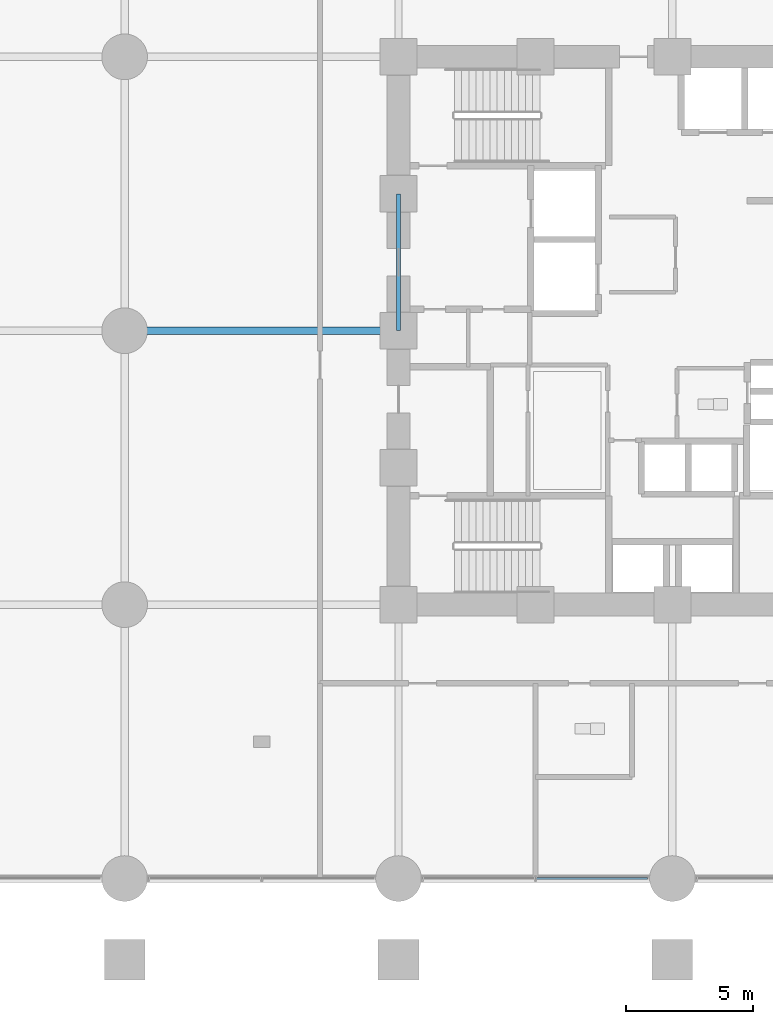
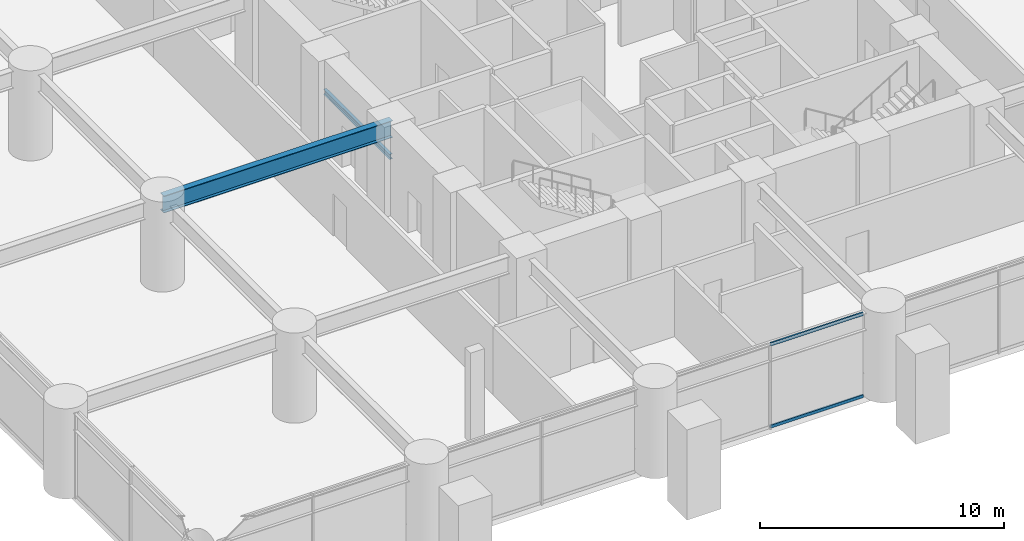
# One storey, part 8 of 31: 2 beams, 2 members, 1 element without a shape of its own.
"""IFC4 building model written with IfcOpenShell, lengths in metres."""

import ifcopenshell
import ifcopenshell.guid

model = None  # the IFC model being written
_history = None  # IfcOwnerHistory: only IFC2X3 demands one
_inside = {}  # id of a spatial element -> (the spatial element, [elements in it])
_under = {}  # id of a project, library or spatial element -> (it, [spatial elements below it])
_declared = {}  # id of a project -> (the project, [libraries it declares])
_typed = {}  # id of a type object -> (the type object, [elements of that type])
_made_of = {}  # id of a material, layer set ... -> (it, [elements and type objects made of it])


def new_model(schema):
    """Start an empty IFC model of exactly this schema.

    Asked for "IFC4X3", IfcOpenShell would pick the latest addendum, in which some entities
    have other attributes; the version numbers below select the first issue.
    IFC2X3 requires an IfcOwnerHistory on every rooted entity: one is made here for all.
    """
    global model, _history
    if schema == "IFC4X3":
        model = ifcopenshell.file(schema_version=(4, 3, 0, 0))
    else:
        model = ifcopenshell.file(schema=schema)
    _inside.clear()
    _under.clear()
    _declared.clear()
    _typed.clear()
    _made_of.clear()
    _history = None
    if model.schema == "IFC2X3":
        org = make("IfcOrganization", Name="unknown")
        user = make(
            "IfcPersonAndOrganization",
            ThePerson=make("IfcPerson", FamilyName="unknown"),
            TheOrganization=org,
        )
        app = make(
            "IfcApplication",
            ApplicationDeveloper=org,
            Version="unknown",
            ApplicationFullName="unknown",
            ApplicationIdentifier="unknown",
        )
        _history = make(
            "IfcOwnerHistory",
            OwningUser=user,
            OwningApplication=app,
            ChangeAction="ADDED",
            CreationDate=0,
        )
    return model


def make(cls, **values):
    """One entity of the class cls with the attributes given. An attribute that is None is left unset."""
    return model.create_entity(
        cls, **{name: value for name, value in values.items() if value is not None}
    )


def rooted(cls, **values):
    """An entity with a GlobalId (a new one), such as an element, a storey or a relation."""
    return make(cls, GlobalId=ifcopenshell.guid.new(), OwnerHistory=_history, **values)


def si_unit(unit_type, name, prefix=None):
    """IfcSIUnit, for example si_unit("LENGTHUNIT", "METRE", prefix="MILLI")."""
    return make("IfcSIUnit", UnitType=unit_type, Prefix=prefix, Name=name)


def assignment(units):
    """IfcUnitAssignment: the units of a project."""
    return None if units is None else make("IfcUnitAssignment", Units=units)


def point(xyz):
    """IfcCartesianPoint."""
    return None if xyz is None else make("IfcCartesianPoint", Coordinates=xyz)


def direction(xyz):
    """IfcDirection."""
    return None if xyz is None else make("IfcDirection", DirectionRatios=xyz)


def frame(location, z_axis=None, x_axis=None):
    """IfcAxis2Placement3D, a coordinate frame: its origin and axes. An axis left out is left unset."""
    return make(
        "IfcAxis2Placement3D",
        Location=point(location),
        Axis=direction(z_axis),
        RefDirection=direction(x_axis),
    )


def frame_2d(location, x_axis=None):
    """IfcAxis2Placement2D, a coordinate frame in the plane: its origin and x axis."""
    return make(
        "IfcAxis2Placement2D", Location=point(location), RefDirection=direction(x_axis)
    )


def origin():
    """The frame at (0, 0, 0) with its axes left unset."""
    return frame((0.0, 0.0, 0.0))


def origin_2d():
    """The frame at (0, 0) in the plane with its x axis left unset."""
    return frame_2d((0.0, 0.0))


def place(relative_to, where):
    """IfcLocalPlacement: puts the frame where relative to a parent placement (None: the world)."""
    return make(
        "IfcLocalPlacement", PlacementRelTo=relative_to, RelativePlacement=where
    )


def context(
    kind, dimensions, precision=None, world=None, true_north=None, identifier=None
):
    """IfcGeometricRepresentationContext, for example the 3D "Model" context."""
    return make(
        "IfcGeometricRepresentationContext",
        ContextIdentifier=identifier,
        ContextType=kind,
        CoordinateSpaceDimension=dimensions,
        Precision=precision,
        WorldCoordinateSystem=world,
        TrueNorth=true_north,
    )


def subcontext(parent, identifier, kind, view, scale=None):
    """IfcGeometricRepresentationSubContext, for example "Body" below "Model"."""
    return make(
        "IfcGeometricRepresentationSubContext",
        ContextIdentifier=identifier,
        ContextType=kind,
        ParentContext=parent,
        TargetScale=scale,
        TargetView=view,
    )


def project(units=None, contexts=None):
    """IfcProject with its units and contexts."""
    return rooted(
        "IfcProject",
        Name="project",
        RepresentationContexts=contexts,
        UnitsInContext=assignment(units),
    )


def spatial(cls, under=None, at=None, **own):
    """A site, building, storey or space (cls), placed at a placement, below another one or the project."""
    s = rooted(cls, ObjectPlacement=at, **own)
    if under is not None:
        _under.setdefault(under.id(), (under, []))[1].append(s)
    return s


def profile(cls, at=None, kind="AREA", **sizes):
    """A parametric profile (cls). Its sizes go by their IFC names, for example OverallWidth=200.0."""
    return make(cls, ProfileType=kind, Position=at, **sizes)


def hollow_rectangle(**sizes):
    """IfcRectangleHollowProfileDef."""
    return profile("IfcRectangleHollowProfileDef", **sizes)


def i_section(**sizes):
    """IfcIShapeProfileDef."""
    return profile("IfcIShapeProfileDef", **sizes)


def extrude(swept, where, along, depth):
    """IfcExtrudedAreaSolid: the profile swept, set in the frame where, extruded along a direction by depth."""
    return make(
        "IfcExtrudedAreaSolid",
        SweptArea=swept,
        Position=where,
        ExtrudedDirection=direction(along),
        Depth=depth,
    )


def shape(context_of_items, identifier, shape_type, items):
    """IfcShapeRepresentation: the items that make up one representation, for example the "Body"."""
    return make(
        "IfcShapeRepresentation",
        ContextOfItems=context_of_items,
        RepresentationIdentifier=identifier,
        RepresentationType=shape_type,
        Items=items,
    )


def material(Name=None, Category=None):
    """IfcMaterial."""
    return make("IfcMaterial", Name=Name, Category=Category)


def layer(
    of_material, thickness, ventilated=None, Name=None, Category=None, Priority=None
):
    """IfcMaterialLayer: one layer of a wall or slab, of a material (None: an air gap)."""
    return make(
        "IfcMaterialLayer",
        Material=of_material,
        LayerThickness=thickness,
        IsVentilated=ventilated,
        Name=Name,
        Category=Category,
        Priority=Priority,
    )


def layer_set(layers, Name=None):
    """IfcMaterialLayerSet."""
    return make("IfcMaterialLayerSet", MaterialLayers=layers, LayerSetName=Name)


def material_profile(
    of_material, cross_section, Name=None, Category=None, Priority=None
):
    """IfcMaterialProfile: a cross section and its material."""
    return make(
        "IfcMaterialProfile",
        Name=Name,
        Material=of_material,
        Profile=cross_section,
        Priority=Priority,
        Category=Category,
    )


def profile_set(profiles, Name=None, composite=None):
    """IfcMaterialProfileSet."""
    return make(
        "IfcMaterialProfileSet",
        Name=Name,
        MaterialProfiles=profiles,
        CompositeProfile=composite,
    )


def made_of(thing, what):
    """Note that an element or type object is made of a material, layer set ...; save() writes the relation."""
    if what is not None:
        _made_of.setdefault(what.id(), (what, []))[1].append(thing)
    return thing


def type_object(cls, material=None, **own):
    """A type object (cls), such as IfcWallType, which elements share."""
    return made_of(rooted(cls, **own), material)


def element(
    cls,
    number,
    at=None,
    inside=None,
    cuts=None,
    type_object=None,
    material=None,
    context=None,
    identifier="Body",
    shape_type=None,
    held_by="IfcProductDefinitionShape",
    body=None,
    shapes=None,
    **own,
):
    """One element of the class cls, such as IfcWall. Its Tag is "e" and its number.

    at: its placement. inside: the storey or other place that contains it. cuts: it is an
    opening in that element (IfcRelVoidsElement). A single representation is given by context,
    identifier, shape_type and body (its items); several are given by shapes. held_by: the class
    of the entity that holds the representations. save() writes the other relations.
    """
    e = rooted(cls, Tag="e%d" % number, ObjectPlacement=at, **own)
    if body is not None:
        shapes = [shape(context, identifier, shape_type, body)]
    if shapes is not None:
        e.Representation = make(held_by, Representations=shapes)
    if inside is not None:
        _inside.setdefault(inside.id(), (inside, []))[1].append(e)
    if cuts is not None:
        rooted(
            "IfcRelVoidsElement", RelatingBuildingElement=cuts, RelatedOpeningElement=e
        )
    if type_object is not None:
        _typed.setdefault(type_object.id(), (type_object, []))[1].append(e)
    return made_of(e, material)


def aggregate(whole, parts):
    """IfcRelAggregates: a whole, such as a stair, and the parts it consists of."""
    return rooted("IfcRelAggregates", RelatingObject=whole, RelatedObjects=parts)


def save(model, path):
    """Write the relations noted so far, then the file.

    IfcRelAggregates (storeys below a building ...), IfcRelContainedInSpatialStructure (elements
    in a storey), IfcRelDefinesByType, IfcRelAssociatesMaterial and IfcRelDeclares: one each for
    every whole, place, type object, material and project.
    """
    for whole, parts in _under.values():
        aggregate(whole, parts)
    for where, things in _inside.values():
        rooted(
            "IfcRelContainedInSpatialStructure",
            RelatedElements=things,
            RelatingStructure=where,
        )
    for kind, things in _typed.values():
        rooted("IfcRelDefinesByType", RelatedObjects=things, RelatingType=kind)
    for what, things in _made_of.values():
        rooted("IfcRelAssociatesMaterial", RelatedObjects=things, RelatingMaterial=what)
    for by, libraries in _declared.values():
        rooted("IfcRelDeclares", RelatingContext=by, RelatedDefinitions=libraries)
    model.write(path)


model = new_model("IFC4")

# Units and contexts
model_context = context("Model", 3, precision=1e-05, world=origin(), true_north=direction((0.0, 1.0)))
body_context = subcontext(model_context, "Body", "Model", "MODEL_VIEW")
ifc_project = project(units=[si_unit("LENGTHUNIT", "METRE"), si_unit("AREAUNIT", "SQUARE_METRE"), si_unit("VOLUMEUNIT", "CUBIC_METRE"), si_unit("PLANEANGLEUNIT", "RADIAN"), si_unit("MASSUNIT", "GRAM", prefix="KILO")], contexts=[model_context])

# Site, building, storey
site_placement = place(None, origin())
site = spatial("IfcSite", under=ifc_project, at=site_placement, CompositionType="ELEMENT")
building_placement = place(site_placement, origin())
building = spatial("IfcBuilding", under=site, at=building_placement, Name="Surkhivell Harbour Commons", CompositionType="ELEMENT")
storey_placement = place(building_placement, frame((0.0, 0.0, 4.5)))
storey = spatial("IfcBuildingStorey", under=building, at=storey_placement, Name="L01", CompositionType="ELEMENT", Elevation=4.5)

# Beams
ifc_material_1 = material(Name="Steel S355", Category="steel")
ifc_material_profile_1 = material_profile(ifc_material_1, i_section(OverallWidth=0.14599609375, OverallDepth=0.256103515625, WebThickness=0.00634765625, FlangeThickness=0.010986328125, at=origin_2d()), Name="UB254x146x37")
ifc_profile_set_1 = profile_set([ifc_material_profile_1], Name="Steel S355")
beam_type_1 = type_object("IfcBeamType", Name="BM-LNT-254", PredefinedType="LINTEL", material=ifc_profile_set_1)
beam_1_placement = place(storey_placement, frame((-10.800048828125, 0.0, 2.35009765625), z_axis=(0.0, 1.0, 0.0), x_axis=(-1.0, 0.0, 0.0)))
element("IfcBeam", 1, at=beam_1_placement, inside=storey, type_object=beam_type_1, Name="L01 Core Lobby Opening Lintel LB-1", PredefinedType="LINTEL", context=body_context, shape_type="SweptSolid", body=[
    extrude(i_section(OverallWidth=0.14599609375, OverallDepth=0.256103515625, WebThickness=0.00634765625, FlangeThickness=0.010986328125, at=origin_2d()), origin(), (0.0, 0.0, 1.0), 5.39990234375),
])
ifc_material_2 = material(Name="Steel S460", Category="steel")
ifc_material_profile_2 = material_profile(ifc_material_2, i_section(OverallWidth=0.2939453125, OverallDepth=0.85107421875, WebThickness=0.01611328125, FlangeThickness=0.02685546875, at=origin_2d()), Name="UB838x292x226")
ifc_profile_set_2 = profile_set([ifc_material_profile_2], Name="Steel S460")
beam_type_2 = type_object("IfcBeamType", Name="BM-SPN-838", PredefinedType="SPANDREL", material=ifc_profile_set_2)
beam_2_placement = place(storey_placement, frame((-21.60009765625, 0.0, 3.824462890625), z_axis=(1.0, 0.0, 0.0), x_axis=(0.0, 1.0, 0.0)))
element("IfcBeam", 2, at=beam_2_placement, inside=storey, type_object=beam_type_2, Name="L01 Framing Beam (-21.6,0.0)", PredefinedType="SPANDREL", context=body_context, shape_type="SweptSolid", body=[
    extrude(i_section(OverallWidth=0.2939453125, OverallDepth=0.85107421875, WebThickness=0.01611328125, FlangeThickness=0.02685546875, at=origin_2d()), origin(), (0.0, 0.0, 1.0), 10.800048828125),
])

# Curtain wall, members
ifc_material_3 = material(Name="Anodised pale-metal aluminium and insulated glazing", Category="aluminium")
ifc_layer = layer(ifc_material_3, 0.239990234375)
ifc_layer_set = layer_set([ifc_layer], Name="Anodised pale-metal aluminium and insulated glazing")
curtain_wall_type = type_object("IfcCurtainWallType", Name="CW-SYS-POD", PredefinedType="NOTDEFINED", material=ifc_layer_set)
curtain_wall_placement = place(storey_placement, origin())
curtain_wall = element("IfcCurtainWall", 3, at=curtain_wall_placement, inside=storey, type_object=curtain_wall_type, Name="L01 Curtain Wall CW-L01-P01", PredefinedType="NOTDEFINED")
ifc_material_4 = material(Name="Anodised pale-metal aluminium alloy 6063-T6", Category="aluminium")
ifc_material_profile_3 = material_profile(ifc_material_4, hollow_rectangle(XDim=0.074951171875, YDim=0.14990234375, WallThickness=0.00341796875, at=origin_2d()), Name="ALU-TRAN-75x150")
ifc_profile_set_3 = profile_set([ifc_material_profile_3], Name="Anodised pale-metal aluminium alloy 6063-T6")
member_type = type_object("IfcMemberType", Name="CWT-150", PredefinedType="USERDEFINED", material=ifc_profile_set_3)
member_1_placement = place(storey_placement, frame((-5.362548828125, -21.60009765625, 0.074951171875), z_axis=(1.0, 0.0, 0.0), x_axis=(0.0, 1.0, 0.0)))
member_1 = element("IfcMember", 4, at=member_1_placement, type_object=member_type, Name="CW-POD transom 6.1", ObjectType="TRANSOM", PredefinedType="USERDEFINED", context=body_context, shape_type="SweptSolid", body=[
    extrude(hollow_rectangle(XDim=0.074951171875, YDim=0.14990234375, WallThickness=0.00341796875, at=origin_2d()), origin(), (0.0, 0.0, 1.0), 4.385498046875),
])
member_2_placement = place(storey_placement, frame((-5.362548828125, -21.60009765625, 4.175048828125), z_axis=(1.0, 0.0, 0.0), x_axis=(0.0, 1.0, 0.0)))
member_2 = element("IfcMember", 5, at=member_2_placement, type_object=member_type, Name="CW-POD transom 6.2", ObjectType="TRANSOM", PredefinedType="USERDEFINED", context=body_context, shape_type="SweptSolid", body=[
    extrude(hollow_rectangle(XDim=0.074951171875, YDim=0.14990234375, WallThickness=0.00341796875, at=origin_2d()), origin(), (0.0, 0.0, 1.0), 4.385498046875),
])
aggregate(curtain_wall, [member_1, member_2])

save(model, "model.ifc")
